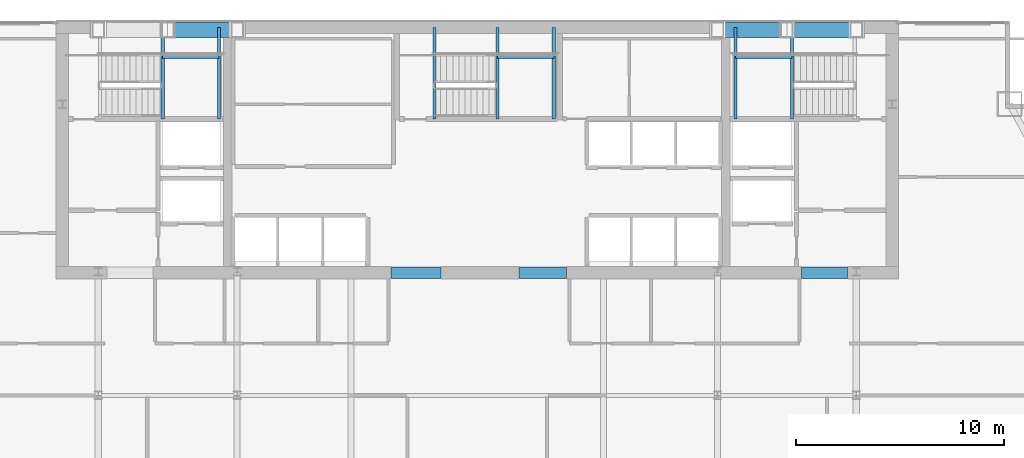
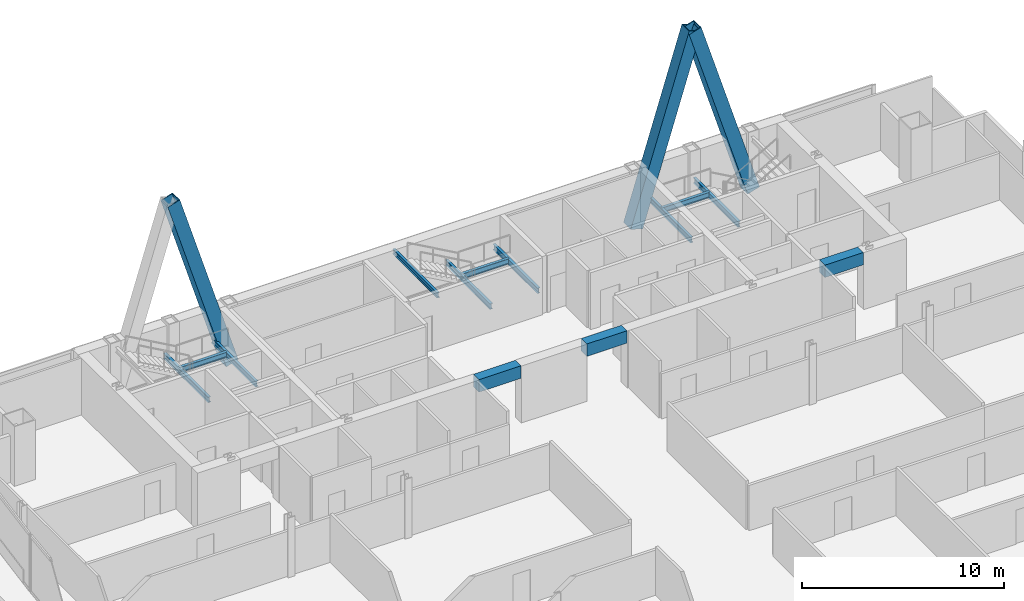
# One storey, part 23 of 32: 13 beams, 3 members.
"""IFC4 building model written with IfcOpenShell, lengths in metres."""

from ifc_helpers import new_model, si_unit, direction, frame, origin, origin_2d, place, context, subcontext, project, spatial, rectangle, hollow_rectangle, i_section, extrude, material, material_profile, profile_set, type_object, element, save


model = new_model("IFC4")

# Units and contexts
model_context = context("Model", 3, precision=1e-05, world=origin(), true_north=direction((0.0, 1.0)))
body_context = subcontext(model_context, "Body", "Model", "MODEL_VIEW")
ifc_project = project(units=[si_unit("LENGTHUNIT", "METRE"), si_unit("AREAUNIT", "SQUARE_METRE"), si_unit("VOLUMEUNIT", "CUBIC_METRE"), si_unit("PLANEANGLEUNIT", "RADIAN"), si_unit("MASSUNIT", "GRAM", prefix="KILO")], contexts=[model_context])

# Site, building, storey
site_placement = place(None, origin())
site = spatial("IfcSite", under=ifc_project, at=site_placement, CompositionType="ELEMENT")
building_placement = place(site_placement, origin())
building = spatial("IfcBuilding", under=site, at=building_placement, Name="Khoronbel Lancet Exchange", CompositionType="ELEMENT")
storey_placement = place(building_placement, frame((0.0, 0.0, 188.60009765625)))
storey = spatial("IfcBuildingStorey", under=building, at=storey_placement, Name="L47", CompositionType="ELEMENT", Elevation=188.60009765625)

# Beams
ifc_material_1 = material(Name="Steel S355", Category="steel")
ifc_material_profile_1 = material_profile(ifc_material_1, i_section(OverallWidth=0.159912109375, OverallDepth=0.330078125, WebThickness=0.007568359375, FlangeThickness=0.011474609375, at=origin_2d()), Name="IPE 330")
ifc_profile_set_1 = profile_set([ifc_material_profile_1], Name="Steel S355")
beam_type_1 = type_object("IfcBeamType", Name="BM-BJ7", PredefinedType="JOIST", material=ifc_profile_set_1)
for number, where, z_axis, x_axis, name in (
    (1, (21.320068359375, 48.97998046875, 1.434814453125), (0.0, 1.0, 0.0), (-1.0, 0.0, 0.0), "Level L47 stair ST1 landing bearer beam 1"),
    (2, (24.030029296875, 48.97998046875, 1.434814453125), (0.0, 1.0, 0.0), (-1.0, 0.0, 0.0), "Level L47 stair ST1 rear landing bearer beam 1"),
):
    element("IfcBeam", number, at=place(storey_placement, frame(where, z_axis=z_axis, x_axis=x_axis)), inside=storey, type_object=beam_type_1, Name=name, PredefinedType="JOIST", context=body_context, shape_type="SweptSolid", body=[
        extrude(i_section(OverallWidth=0.159912109375, OverallDepth=0.330078125, WebThickness=0.007568359375, FlangeThickness=0.011474609375, at=origin_2d()), origin(), (0.0, 0.0, 1.0), 4.419921875),
    ])
beam_1_placement = place(storey_placement, frame((21.320068359375, 51.97998046875, 1.434814453125), z_axis=(1.0, 0.0, 0.0), x_axis=(0.0, 1.0, 0.0)))
element("IfcBeam", 3, at=beam_1_placement, inside=storey, type_object=beam_type_1, Name="Level L47 stair ST1 landing cross trimmer beam 1", PredefinedType="JOIST", context=body_context, shape_type="SweptSolid", body=[
    extrude(i_section(OverallWidth=0.159912109375, OverallDepth=0.330078125, WebThickness=0.007568359375, FlangeThickness=0.011474609375, at=origin_2d()), origin(), (0.0, 0.0, 1.0), 2.7099609375),
])
for number, where, z_axis, x_axis, name in (
    (4, (51.580078125, 48.97998046875, 1.434814453125), (0.0, 1.0, 0.0), (-1.0, 0.0, 0.0), "Level L47 stair ST2 landing bearer beam 1"),
    (5, (48.8701171875, 48.97998046875, 1.434814453125), (0.0, 1.0, 0.0), (-1.0, 0.0, 0.0), "Level L47 stair ST2 rear landing bearer beam 1"),
):
    element("IfcBeam", number, at=place(storey_placement, frame(where, z_axis=z_axis, x_axis=x_axis)), inside=storey, type_object=beam_type_1, Name=name, PredefinedType="JOIST", context=body_context, shape_type="SweptSolid", body=[
        extrude(i_section(OverallWidth=0.159912109375, OverallDepth=0.330078125, WebThickness=0.007568359375, FlangeThickness=0.011474609375, at=origin_2d()), origin(), (0.0, 0.0, 1.0), 4.419921875),
    ])
beam_2_placement = place(storey_placement, frame((48.8701171875, 51.97998046875, 1.434814453125), z_axis=(1.0, 0.0, 0.0), x_axis=(0.0, 1.0, 0.0)))
element("IfcBeam", 6, at=beam_2_placement, inside=storey, type_object=beam_type_1, Name="Level L47 stair ST2 landing cross trimmer beam 1", PredefinedType="JOIST", context=body_context, shape_type="SweptSolid", body=[
    extrude(i_section(OverallWidth=0.159912109375, OverallDepth=0.330078125, WebThickness=0.007568359375, FlangeThickness=0.011474609375, at=origin_2d()), origin(), (0.0, 0.0, 1.0), 2.7099609375),
])
for number, where, z_axis, x_axis, name in (
    (7, (37.419921875, 48.97998046875, 1.434814453125), (0.0, 1.0, 0.0), (-1.0, 0.0, 0.0), "Level L47 stair ST3 landing bearer beam 1"),
    (8, (40.1298828125, 48.97998046875, 1.434814453125), (0.0, 1.0, 0.0), (-1.0, 0.0, 0.0), "Level L47 stair ST3 rear landing bearer beam 1"),
):
    element("IfcBeam", number, at=place(storey_placement, frame(where, z_axis=z_axis, x_axis=x_axis)), inside=storey, type_object=beam_type_1, Name=name, PredefinedType="JOIST", context=body_context, shape_type="SweptSolid", body=[
        extrude(i_section(OverallWidth=0.159912109375, OverallDepth=0.330078125, WebThickness=0.007568359375, FlangeThickness=0.011474609375, at=origin_2d()), origin(), (0.0, 0.0, 1.0), 4.419921875),
    ])
beam_3_placement = place(storey_placement, frame((37.419921875, 51.97998046875, 1.434814453125), z_axis=(1.0, 0.0, 0.0), x_axis=(0.0, 1.0, 0.0)))
element("IfcBeam", 9, at=beam_3_placement, inside=storey, type_object=beam_type_1, Name="Level L47 stair ST3 landing cross trimmer beam 1", PredefinedType="JOIST", context=body_context, shape_type="SweptSolid", body=[
    extrude(i_section(OverallWidth=0.159912109375, OverallDepth=0.330078125, WebThickness=0.007568359375, FlangeThickness=0.011474609375, at=origin_2d()), origin(), (0.0, 0.0, 1.0), 2.7099609375),
])
ifc_material_profile_2 = material_profile(ifc_material_1, i_section(OverallWidth=0.14990234375, OverallDepth=0.300048828125, WebThickness=0.007080078125, FlangeThickness=0.0107421875, at=origin_2d()), Name="IPE 300")
ifc_profile_set_2 = profile_set([ifc_material_profile_2], Name="Steel S355")
beam_type_2 = type_object("IfcBeamType", Name="BM-BJ8", PredefinedType="JOIST", material=ifc_profile_set_2)
beam_4_placement = place(storey_placement, frame((34.39990234375, 48.97998046875, 3.159912109375), z_axis=(0.0, 1.0, 0.0), x_axis=(-1.0, 0.0, 0.0)))
element("IfcBeam", 10, at=beam_4_placement, inside=storey, type_object=beam_type_2, Name="Level L47 stair ST3 upper-flight arrival trimmer beam", PredefinedType="JOIST", context=body_context, shape_type="SweptSolid", body=[
    extrude(i_section(OverallWidth=0.14990234375, OverallDepth=0.300048828125, WebThickness=0.007080078125, FlangeThickness=0.0107421875, at=origin_2d()), origin(), (0.0, 0.0, 1.0), 4.419921875),
])
ifc_material_2 = material(Name="Concrete C60/75", Category="concrete")
ifc_material_profile_3 = material_profile(ifc_material_2, rectangle(XDim=0.550048828125, YDim=0.75, at=origin_2d()), Name="RC 550x750")
ifc_profile_set_3 = profile_set([ifc_material_profile_3], Name="Concrete C60/75")
beam_type_3 = type_object("IfcBeamType", Name="BM-BL2", PredefinedType="LINTEL", material=ifc_profile_set_3)
beam_5_placement = place(storey_placement, frame((32.300048828125, 41.60009765625, 3.06494140625), z_axis=(1.0, 0.0, 0.0), x_axis=(0.0, 1.0, 0.0)))
element("IfcBeam", 11, at=beam_5_placement, inside=storey, type_object=beam_type_3, Name="Level L47 rear core coupling lintel L2", PredefinedType="LINTEL", context=body_context, shape_type="SweptSolid", body=[
    extrude(rectangle(XDim=0.550048828125, YDim=0.75, at=origin_2d()), origin(), (0.0, 0.0, 1.0), 2.39990234375),
])
beam_6_placement = place(storey_placement, frame((38.449951171875, 41.60009765625, 3.06494140625), z_axis=(1.0, 0.0, 0.0), x_axis=(0.0, 1.0, 0.0)))
element("IfcBeam", 12, at=beam_6_placement, inside=storey, type_object=beam_type_3, Name="Level L47 rear core coupling lintel L3", PredefinedType="LINTEL", context=body_context, shape_type="SweptSolid", body=[
    extrude(rectangle(XDim=0.550048828125, YDim=0.75, at=origin_2d()), origin(), (0.0, 0.0, 1.0), 2.300048828125),
])
beam_7_placement = place(storey_placement, frame((52.050048828125, 41.60009765625, 3.06494140625), z_axis=(1.0, 0.0, 0.0), x_axis=(0.0, 1.0, 0.0)))
element("IfcBeam", 13, at=beam_7_placement, inside=storey, type_object=beam_type_3, Name="Level L47 rear core coupling lintel L4", PredefinedType="LINTEL", context=body_context, shape_type="SweptSolid", body=[
    extrude(rectangle(XDim=0.550048828125, YDim=0.75, at=origin_2d()), origin(), (0.0, 0.0, 1.0), 2.199951171875),
])

# Members
ifc_material_3 = material(Name="Steel S460", Category="steel")
ifc_material_profile_4 = material_profile(ifc_material_3, hollow_rectangle(XDim=0.719970703125, YDim=0.719970703125, WallThickness=0.050048828125, at=origin_2d()), Name="BOX 720x720x50")
ifc_profile_set_4 = profile_set([ifc_material_profile_4], Name="Steel S460")
member_type = type_object("IfcMemberType", Name="MEM-MB2", PredefinedType="BRACE", material=ifc_profile_set_4)
for number, where, z_axis, x_axis, name in (
    (14, (24.89990234375, 53.280029296875, 0.0), (-0.295248201357, 0.0, 0.955420587802), (0.0, -1.0, 0.0), "Perimeter lancet brace tier 16 N-W-R"),
    (15, (48.0, 53.280029296875, 0.0), (0.295248201357, 0.0, 0.955420587802), (0.0, 1.0, 0.0), "Perimeter lancet brace tier 16 N-E-L"),
    (16, (54.675048828125, 53.280029296875, 0.0), (-0.295267916675, 0.0, 0.955414495066), (0.0, -1.0, 0.0), "Perimeter lancet brace tier 16 N-E-R"),
):
    element("IfcMember", number, at=place(storey_placement, frame(where, z_axis=z_axis, x_axis=x_axis)), inside=storey, type_object=member_type, Name=name, PredefinedType="BRACE", context=body_context, shape_type="SweptSolid", body=[
        extrude(hollow_rectangle(XDim=0.719970703125, YDim=0.719970703125, WallThickness=0.050048828125, at=origin_2d()), origin(), (0.0, 0.0, 1.0), 11.3037109375),
    ])

save(model, "model.ifc")
